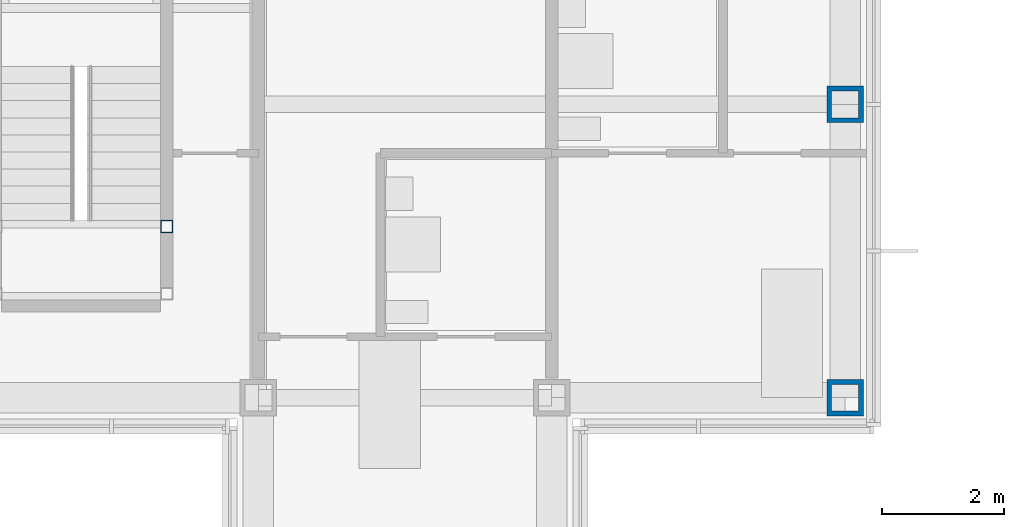
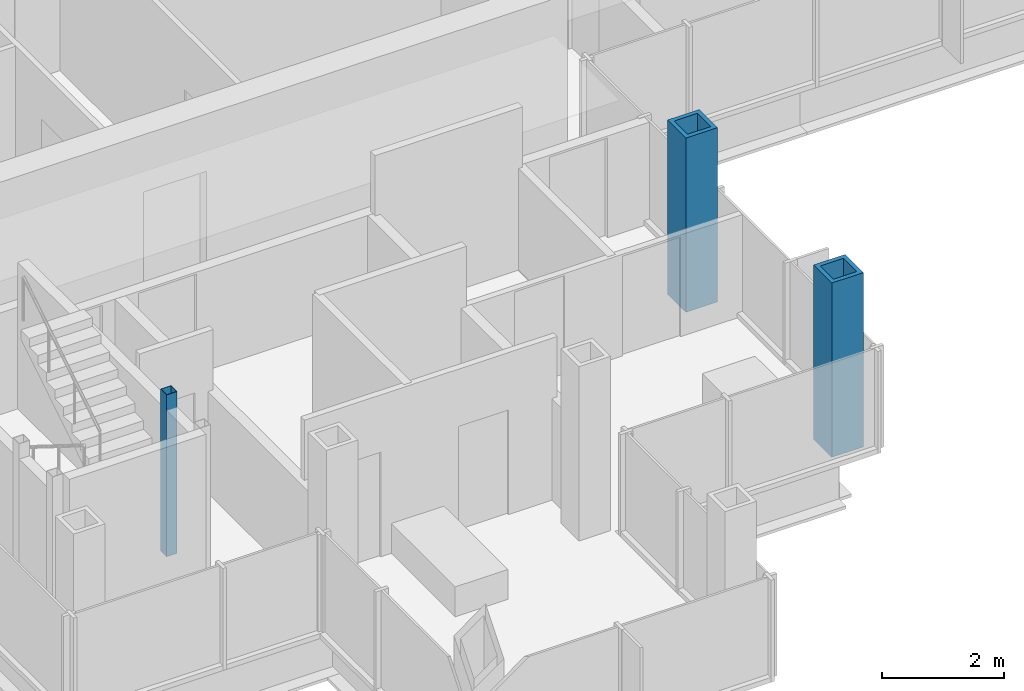
# One storey, part 2 of 17: 3 columns.
"""IFC4 building model written with IfcOpenShell, lengths in metres."""

from ifc_helpers import new_model, si_unit, direction, frame, origin, origin_2d, place, context, subcontext, project, spatial, hollow_rectangle, extrude, material, material_profile, profile_set, type_object, element, save


model = new_model("IFC4")

# Units and contexts
model_context = context("Model", 3, precision=1e-05, world=origin(), true_north=direction((0.0, 1.0)))
body_context = subcontext(model_context, "Body", "Model", "MODEL_VIEW")
ifc_project = project(units=[si_unit("LENGTHUNIT", "METRE"), si_unit("AREAUNIT", "SQUARE_METRE"), si_unit("VOLUMEUNIT", "CUBIC_METRE"), si_unit("PLANEANGLEUNIT", "RADIAN"), si_unit("MASSUNIT", "GRAM", prefix="KILO")], contexts=[model_context])

# Site, building, storey
site_placement = place(None, origin())
site = spatial("IfcSite", under=ifc_project, at=site_placement, CompositionType="ELEMENT")
building_placement = place(site_placement, origin())
building = spatial("IfcBuilding", under=site, at=building_placement, Name="Kvirike Care Tower", CompositionType="ELEMENT")
storey_placement = place(building_placement, frame((0.0, 0.0, 186.5)))
storey = spatial("IfcBuildingStorey", under=building, at=storey_placement, Name="L51", CompositionType="ELEMENT", Elevation=186.5)

# Columns
ifc_material_1 = material(Name="Steel S460", Category="steel")
ifc_material_profile_1 = material_profile(ifc_material_1, hollow_rectangle(XDim=0.60009765625, YDim=0.60009765625, WallThickness=0.080078125, at=origin_2d()), Name="BX 600x600x80")
ifc_profile_set_1 = profile_set([ifc_material_profile_1], Name="Steel S460")
column_type_1 = type_object("IfcColumnType", Name="COLUMN BX 600x600x80", PredefinedType="COLUMN", material=ifc_profile_set_1)
for number, where, z_axis, x_axis, name in (
    (1, (28.800048828125, 19.199951171875, 0.0), (0.0, 0.0, 1.0), (0.0, 1.0, 0.0), "Column E9 L51"),
    (2, (28.800048828125, 24.0, 0.0), (0.0, 0.0, 1.0), (1.0, 0.0, 0.0), "Column F9 L51"),
):
    element("IfcColumn", number, at=place(storey_placement, frame(where, z_axis=z_axis, x_axis=x_axis)), inside=storey, type_object=column_type_1, Name=name, PredefinedType="COLUMN", context=body_context, shape_type="SweptSolid", body=[
        extrude(hollow_rectangle(XDim=0.60009765625, YDim=0.60009765625, WallThickness=0.080078125, at=origin_2d()), origin(), (0.0, 0.0, 1.0), 3.5),
    ])
ifc_material_2 = material(Name="Steel S460", Category="steel")
ifc_material_profile_2 = material_profile(ifc_material_2, hollow_rectangle(XDim=0.199951171875, YDim=0.199951171875, WallThickness=0.008056640625, at=origin_2d()), Name="SHS 200x200x8")
ifc_profile_set_2 = profile_set([ifc_material_profile_2], Name="Steel S460")
column_type_2 = type_object("IfcColumnType", Name="STAIR POST SHS 200x200x8", PredefinedType="COLUMN", material=ifc_profile_set_2)
column_placement = place(storey_placement, frame((17.699951171875, 22.0, 0.0), z_axis=(0.0, 0.0, 1.0), x_axis=(1.0, 0.0, 0.0)))
element("IfcColumn", 3, at=column_placement, inside=storey, type_object=column_type_2, Name="Stair 5 post 4 L51", PredefinedType="COLUMN", context=body_context, shape_type="SweptSolid", body=[
    extrude(hollow_rectangle(XDim=0.199951171875, YDim=0.199951171875, WallThickness=0.008056640625, at=origin_2d()), origin(), (0.0, 0.0, 1.0), 3.25),
])

save(model, "model.ifc")
